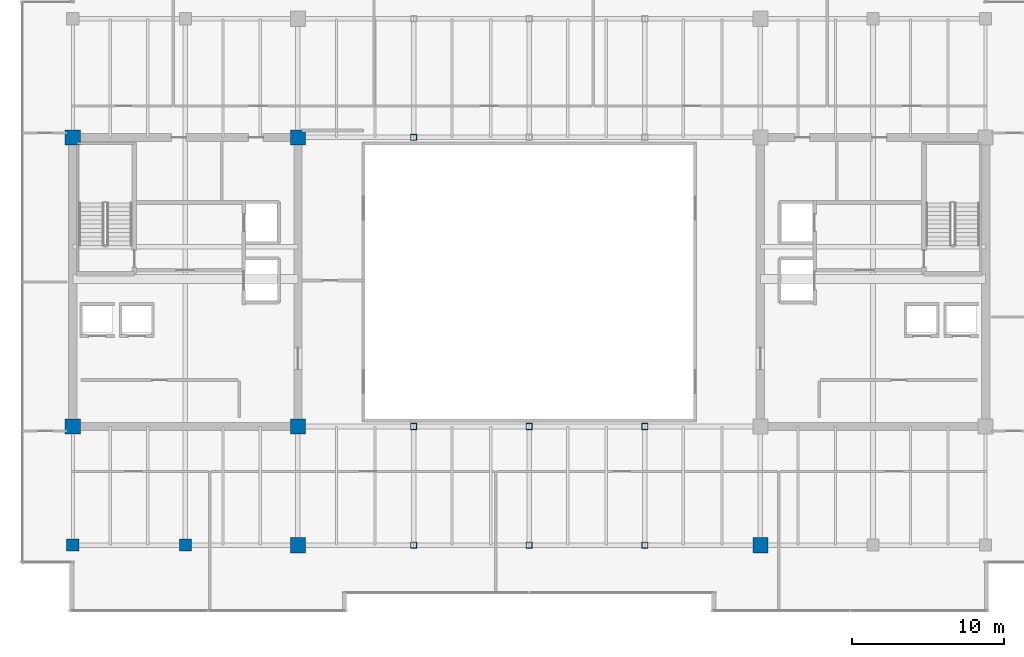
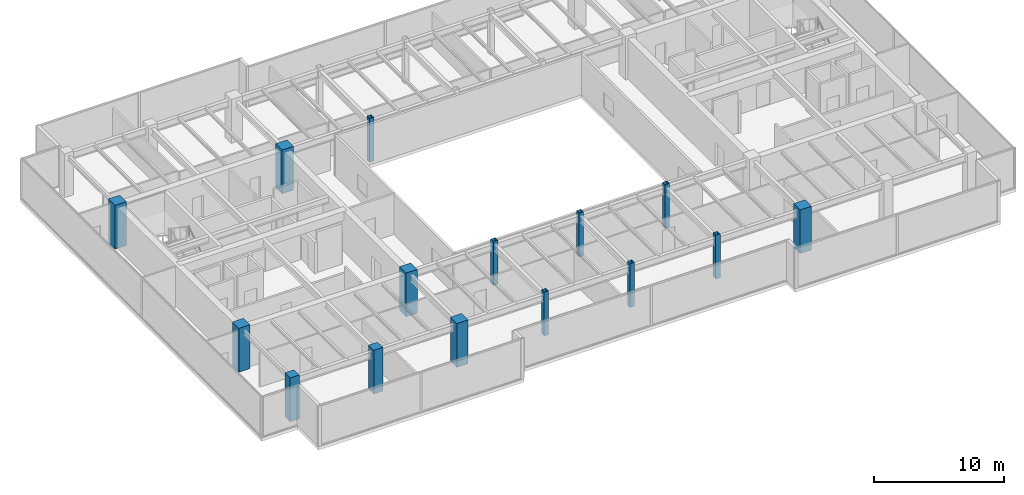
# One storey, part 1 of 33: 15 columns.
"""IFC4 building model written with IfcOpenShell, lengths in metres."""

from ifc_helpers import new_model, si_unit, direction, frame, origin, origin_2d, place, context, subcontext, project, spatial, rectangle, hollow_rectangle, extrude, source, transform, mapped, material, material_profile, profile_set, type_object, type_shapes, element, save


model = new_model("IFC4")

# Units and contexts
model_context = context("Model", 3, precision=1e-05, world=origin(), true_north=direction((0.0, 1.0)))
body_context = subcontext(model_context, "Body", "Model", "MODEL_VIEW")
ifc_project = project(units=[si_unit("LENGTHUNIT", "METRE"), si_unit("AREAUNIT", "SQUARE_METRE"), si_unit("VOLUMEUNIT", "CUBIC_METRE"), si_unit("PLANEANGLEUNIT", "RADIAN"), si_unit("MASSUNIT", "GRAM", prefix="KILO")], contexts=[model_context])

# Site, building, storey
site_placement = place(None, origin())
site = spatial("IfcSite", under=ifc_project, at=site_placement, CompositionType="ELEMENT")
building_placement = place(site_placement, origin())
building = spatial("IfcBuilding", under=site, at=building_placement, Name="Haelvirn Gate Laboratories", CompositionType="ELEMENT")
storey_placement = place(building_placement, frame((0.0, 0.0, 217.800048828125)))
storey = spatial("IfcBuildingStorey", under=building, at=storey_placement, Name="L52", CompositionType="ELEMENT", Elevation=217.800048828125)

# Columns
ifc_material_1 = material(Name="Concrete C60/75", Category="concrete")
ifc_material_profile_1 = material_profile(ifc_material_1, rectangle(XDim=1.0, YDim=1.0, at=origin_2d()), Name="RC-1000x1000")
ifc_profile_set_1 = profile_set([ifc_material_profile_1], Name="Concrete C60/75")
column_type_1 = type_object("IfcColumnType", Name="COL-RC-1000", PredefinedType="COLUMN", material=ifc_profile_set_1)
shared_shape_1 = source(origin(), body_context, "Body", "SweptSolid", [
    extrude(rectangle(XDim=1.0, YDim=1.0, at=origin_2d()), origin(), (0.0, 0.0, 1.0), 4.099853515625),
])
type_shapes(column_type_1, [shared_shape_1])
for number, where, z_axis, x_axis, name in (
    (1, (22.199951171875, 7.0, 0.0), (0.0, 0.0, 1.0), (1.0, 0.0, 0.0), "L52 Column 4B"),
    (2, (7.39990234375, 14.800048828125, 0.0), (0.0, 0.0, 1.0), (1.0, 0.0, 0.0), "L52 Column 2C"),
    (3, (22.199951171875, 14.800048828125, 0.0), (0.0, 0.0, 1.0), (1.0, 0.0, 0.0), "L52 Column 4C"),
    (4, (7.39990234375, 33.800048828125, 0.0), (0.0, 0.0, 1.0), (1.0, 0.0, 0.0), "L52 Column 2F"),
    (5, (22.199951171875, 33.800048828125, 0.0), (0.0, 0.0, 1.0), (1.0, 0.0, 0.0), "L52 Column 4F"),
    (6, (52.60009765625, 7.0, 0.0), (0.0, 0.0, 1.0), (1.0, 0.0, 0.0), "L52 Column 8B"),
):
    element("IfcColumn", number, at=place(storey_placement, frame(where, z_axis=z_axis, x_axis=x_axis)), inside=storey, type_object=column_type_1, Name=name, PredefinedType="COLUMN", context=body_context, shape_type="MappedRepresentation", body=[
        mapped(shared_shape_1, transform((0.0, 0.0, 0.0), scale=1.0)),
    ])
ifc_material_2 = material(Name="Concrete C50/60", Category="concrete")
ifc_material_profile_2 = material_profile(ifc_material_2, rectangle(XDim=0.800048828125, YDim=0.800048828125, at=origin_2d()), Name="RC-800x800")
ifc_profile_set_2 = profile_set([ifc_material_profile_2], Name="Concrete C50/60")
column_type_2 = type_object("IfcColumnType", Name="COL-RC-800", PredefinedType="COLUMN", material=ifc_profile_set_2)
shared_shape_2 = source(origin(), body_context, "Body", "SweptSolid", [
    extrude(rectangle(XDim=0.800048828125, YDim=0.800048828125, at=origin_2d()), origin(), (0.0, 0.0, 1.0), 4.099853515625),
])
type_shapes(column_type_2, [shared_shape_2])
for number, where, z_axis, x_axis, name in (
    (7, (14.800048828125, 7.0, 0.0), (0.0, 0.0, 1.0), (1.0, 0.0, 0.0), "L52 Column 3B"),
    (8, (7.39990234375, 7.0, 0.0), (0.0, 0.0, 1.0), (1.0, 0.0, 0.0), "L52 Column 2B"),
):
    element("IfcColumn", number, at=place(storey_placement, frame(where, z_axis=z_axis, x_axis=x_axis)), inside=storey, type_object=column_type_2, Name=name, PredefinedType="COLUMN", context=body_context, shape_type="MappedRepresentation", body=[
        mapped(shared_shape_2, transform((0.0, 0.0, 0.0), scale=1.0)),
    ])
ifc_material_3 = material(Name="Steel SM355", Category="steel")
ifc_material_profile_3 = material_profile(ifc_material_3, hollow_rectangle(XDim=0.39990234375, YDim=0.39990234375, WallThickness=0.01904296875, at=origin_2d()), Name="BOX-400x400x19")
ifc_profile_set_3 = profile_set([ifc_material_profile_3], Name="Steel SM355")
column_type_3 = type_object("IfcColumnType", Name="COL-BOX-400", PredefinedType="COLUMN", material=ifc_profile_set_3)
shared_shape_3 = source(origin(), body_context, "Body", "SweptSolid", [
    extrude(hollow_rectangle(XDim=0.39990234375, YDim=0.39990234375, WallThickness=0.01904296875, at=origin_2d()), origin(), (0.0, 0.0, 1.0), 4.099853515625),
])
type_shapes(column_type_3, [shared_shape_3])
for number, where, z_axis, x_axis, name in (
    (9, (29.800048828125, 7.0, 0.0), (0.0, 0.0, 1.0), (1.0, 0.0, 0.0), "L52 Column 5B"),
    (10, (29.800048828125, 14.800048828125, 0.0), (0.0, 0.0, 1.0), (1.0, 0.0, 0.0), "L52 Column 5C"),
    (11, (29.800048828125, 33.800048828125, 0.0), (0.0, 0.0, 1.0), (1.0, 0.0, 0.0), "L52 Column 5F"),
    (12, (37.39990234375, 7.0, 0.0), (0.0, 0.0, 1.0), (1.0, 0.0, 0.0), "L52 Column 6B"),
    (13, (37.39990234375, 14.800048828125, 0.0), (0.0, 0.0, 1.0), (1.0, 0.0, 0.0), "L52 Column 6C"),
    (14, (45.0, 7.0, 0.0), (0.0, 0.0, 1.0), (1.0, 0.0, 0.0), "L52 Column 7B"),
    (15, (45.0, 14.800048828125, 0.0), (0.0, 0.0, 1.0), (1.0, 0.0, 0.0), "L52 Column 7C"),
):
    element("IfcColumn", number, at=place(storey_placement, frame(where, z_axis=z_axis, x_axis=x_axis)), inside=storey, type_object=column_type_3, Name=name, PredefinedType="COLUMN", context=body_context, shape_type="MappedRepresentation", body=[
        mapped(shared_shape_3, transform((0.0, 0.0, 0.0), scale=1.0)),
    ])

save(model, "model.ifc")
